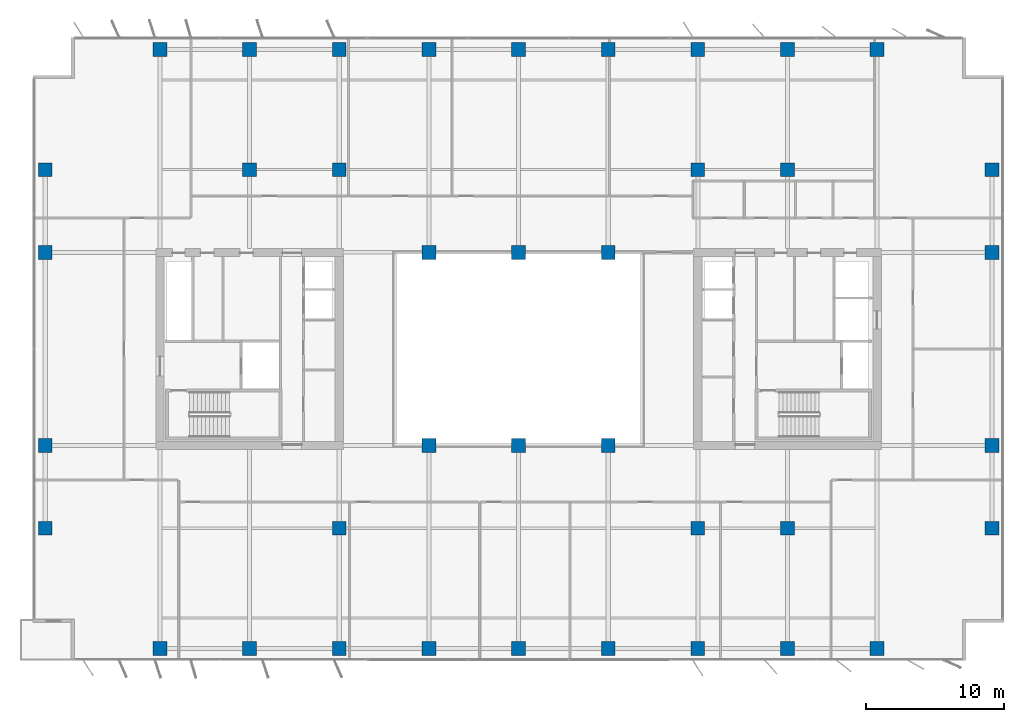
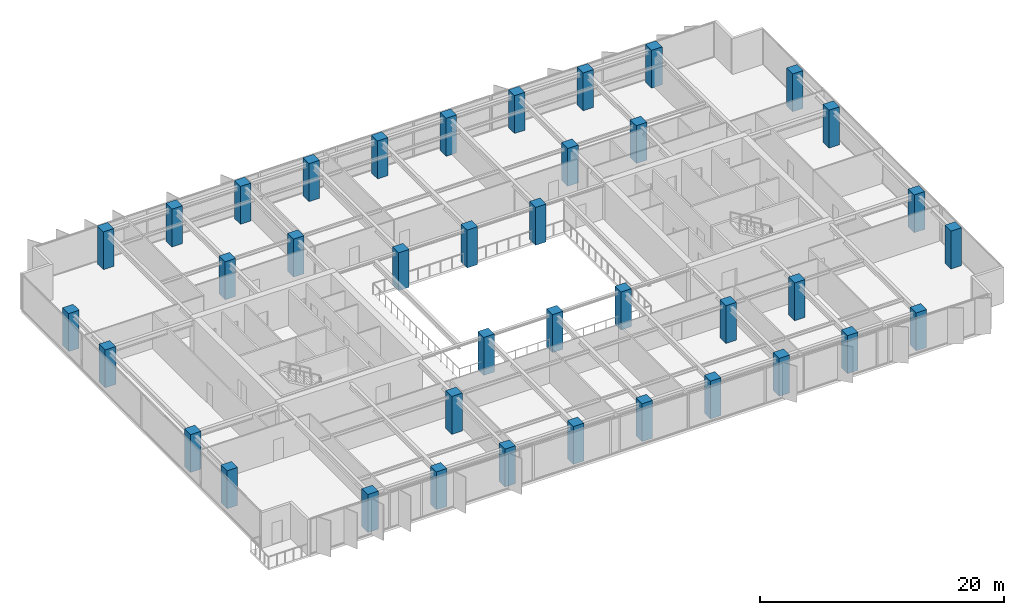
# One storey, part 1 of 22: 39 columns.
"""IFC4 building model written with IfcOpenShell, lengths in metres."""

from ifc_helpers import new_model, si_unit, direction, frame, origin, origin_2d, place, context, subcontext, project, spatial, rectangle, extrude, material, material_profile, profile_set, type_object, element, save


model = new_model("IFC4")

# Units and contexts
model_context = context("Model", 3, precision=1e-05, world=origin(), true_north=direction((0.0, 1.0)))
body_context = subcontext(model_context, "Body", "Model", "MODEL_VIEW")
ifc_project = project(units=[si_unit("LENGTHUNIT", "METRE"), si_unit("AREAUNIT", "SQUARE_METRE"), si_unit("VOLUMEUNIT", "CUBIC_METRE"), si_unit("PLANEANGLEUNIT", "RADIAN"), si_unit("MASSUNIT", "GRAM", prefix="KILO")], contexts=[model_context])

# Site, building, storey
site_placement = place(None, origin())
site = spatial("IfcSite", under=ifc_project, at=site_placement, CompositionType="ELEMENT")
building_placement = place(site_placement, origin())
building = spatial("IfcBuilding", under=site, at=building_placement, Name="Putna Gate Headquarters", CompositionType="ELEMENT")
storey_placement = place(building_placement, frame((0.0, 0.0, 163.199951171875)))
storey = spatial("IfcBuildingStorey", under=building, at=storey_placement, Name="L40", CompositionType="ELEMENT", Elevation=163.199951171875)

# Columns
ifc_material = material(Name="Concrete C50/60", Category="concrete")
ifc_material_profile_1 = material_profile(ifc_material, rectangle(XDim=1.0, YDim=1.0, at=origin_2d()), Name="Concrete C50/60")
ifc_profile_set_1 = profile_set([ifc_material_profile_1], Name="Concrete C50/60")
column_type_1 = type_object("IfcColumnType", Name="COL-RC1000-EXT", PredefinedType="COLUMN", material=ifc_profile_set_1)
for number, where, z_axis, x_axis, name in (
    (1, (13.0, 4.280029296875, 0.0), (0.0, 0.0, 1.0), (1.0, 0.0, 0.0), "L40 Column CP-S13"),
    (2, (13.0, 47.719970703125, 0.0), (0.0, 0.0, 1.0), (1.0, 0.0, 0.0), "L40 Column CP-N13"),
    (3, (19.5, 4.280029296875, 0.0), (0.0, 0.0, 1.0), (1.0, 0.0, 0.0), "L40 Column CP-S19"),
    (4, (19.5, 47.719970703125, 0.0), (0.0, 0.0, 1.0), (1.0, 0.0, 0.0), "L40 Column CP-N19"),
    (5, (26.0, 4.280029296875, 0.0), (0.0, 0.0, 1.0), (1.0, 0.0, 0.0), "L40 Column CP-S26"),
    (6, (26.0, 47.719970703125, 0.0), (0.0, 0.0, 1.0), (1.0, 0.0, 0.0), "L40 Column CP-N26"),
    (7, (32.5, 4.280029296875, 0.0), (0.0, 0.0, 1.0), (1.0, 0.0, 0.0), "L40 Column CP-S32"),
    (8, (32.5, 47.719970703125, 0.0), (0.0, 0.0, 1.0), (1.0, 0.0, 0.0), "L40 Column CP-N32"),
    (9, (39.0, 4.280029296875, 0.0), (0.0, 0.0, 1.0), (1.0, 0.0, 0.0), "L40 Column CP-S39"),
    (10, (39.0, 47.719970703125, 0.0), (0.0, 0.0, 1.0), (1.0, 0.0, 0.0), "L40 Column CP-N39"),
    (11, (45.5, 4.280029296875, 0.0), (0.0, 0.0, 1.0), (1.0, 0.0, 0.0), "L40 Column CP-S45"),
    (12, (45.5, 47.719970703125, 0.0), (0.0, 0.0, 1.0), (1.0, 0.0, 0.0), "L40 Column CP-N45"),
    (13, (52.0, 4.280029296875, 0.0), (0.0, 0.0, 1.0), (1.0, 0.0, 0.0), "L40 Column CP-S52"),
    (14, (52.0, 47.719970703125, 0.0), (0.0, 0.0, 1.0), (1.0, 0.0, 0.0), "L40 Column CP-N52"),
    (15, (58.5, 4.280029296875, 0.0), (0.0, 0.0, 1.0), (1.0, 0.0, 0.0), "L40 Column CP-S58"),
    (16, (58.5, 47.719970703125, 0.0), (0.0, 0.0, 1.0), (1.0, 0.0, 0.0), "L40 Column CP-N58"),
    (17, (65.0, 4.280029296875, 0.0), (0.0, 0.0, 1.0), (1.0, 0.0, 0.0), "L40 Column CP-S65"),
    (18, (65.0, 47.719970703125, 0.0), (0.0, 0.0, 1.0), (1.0, 0.0, 0.0), "L40 Column CP-N65"),
    (19, (4.679931640625, 13.0, 0.0), (0.0, 0.0, 1.0), (1.0, 0.0, 0.0), "L40 Column CP-W13"),
    (20, (73.320068359375, 13.0, 0.0), (0.0, 0.0, 1.0), (1.0, 0.0, 0.0), "L40 Column CP-E13"),
    (21, (4.679931640625, 19.0, 0.0), (0.0, 0.0, 1.0), (1.0, 0.0, 0.0), "L40 Column CP-W19"),
    (22, (73.320068359375, 19.0, 0.0), (0.0, 0.0, 1.0), (1.0, 0.0, 0.0), "L40 Column CP-E19"),
    (23, (4.679931640625, 33.0, 0.0), (0.0, 0.0, 1.0), (1.0, 0.0, 0.0), "L40 Column CP-W33"),
    (24, (73.320068359375, 33.0, 0.0), (0.0, 0.0, 1.0), (1.0, 0.0, 0.0), "L40 Column CP-E33"),
    (25, (4.679931640625, 39.0, 0.0), (0.0, 0.0, 1.0), (1.0, 0.0, 0.0), "L40 Column CP-W39"),
    (26, (73.320068359375, 39.0, 0.0), (0.0, 0.0, 1.0), (1.0, 0.0, 0.0), "L40 Column CP-E39"),
):
    element("IfcColumn", number, at=place(storey_placement, frame(where, z_axis=z_axis, x_axis=x_axis)), inside=storey, type_object=column_type_1, Name=name, PredefinedType="COLUMN", context=body_context, shape_type="SweptSolid", body=[
        extrude(rectangle(XDim=1.0, YDim=1.0, at=origin_2d()), origin(), (0.0, 0.0, 1.0), 3.800048828125),
    ])
ifc_material_profile_2 = material_profile(ifc_material, rectangle(XDim=1.0, YDim=1.0, at=origin_2d()), Name="Concrete C50/60")
ifc_profile_set_2 = profile_set([ifc_material_profile_2], Name="Concrete C50/60")
column_type_2 = type_object("IfcColumnType", Name="COL-RC1000-INT", PredefinedType="COLUMN", material=ifc_profile_set_2)
for number, where, z_axis, x_axis, name in (
    (27, (19.5, 39.0, 0.0), (0.0, 0.0, 1.0), (1.0, 0.0, 0.0), "L40 Column CSI-WN"),
    (28, (58.5, 13.0, 0.0), (0.0, 0.0, 1.0), (1.0, 0.0, 0.0), "L40 Column CSI-ES"),
    (29, (58.5, 39.0, 0.0), (0.0, 0.0, 1.0), (1.0, 0.0, 0.0), "L40 Column CSI-EN"),
    (30, (32.5, 19.0, 0.0), (0.0, 0.0, 1.0), (1.0, 0.0, 0.0), "L40 Column CAI-S32"),
    (31, (32.5, 33.0, 0.0), (0.0, 0.0, 1.0), (1.0, 0.0, 0.0), "L40 Column CAI-N32"),
    (32, (39.0, 19.0, 0.0), (0.0, 0.0, 1.0), (1.0, 0.0, 0.0), "L40 Column CAI-S39"),
    (33, (39.0, 33.0, 0.0), (0.0, 0.0, 1.0), (1.0, 0.0, 0.0), "L40 Column CAI-N39"),
    (34, (45.5, 19.0, 0.0), (0.0, 0.0, 1.0), (1.0, 0.0, 0.0), "L40 Column CAI-S45"),
    (35, (45.5, 33.0, 0.0), (0.0, 0.0, 1.0), (1.0, 0.0, 0.0), "L40 Column CAI-N45"),
    (36, (26.0, 13.0, 0.0), (0.0, 0.0, 1.0), (1.0, 0.0, 0.0), "L40 Column CAP-WS"),
    (37, (26.0, 39.0, 0.0), (0.0, 0.0, 1.0), (1.0, 0.0, 0.0), "L40 Column CAP-WN"),
    (38, (52.0, 13.0, 0.0), (0.0, 0.0, 1.0), (1.0, 0.0, 0.0), "L40 Column CAP-ES"),
    (39, (52.0, 39.0, 0.0), (0.0, 0.0, 1.0), (1.0, 0.0, 0.0), "L40 Column CAP-EN"),
):
    element("IfcColumn", number, at=place(storey_placement, frame(where, z_axis=z_axis, x_axis=x_axis)), inside=storey, type_object=column_type_2, Name=name, PredefinedType="COLUMN", context=body_context, shape_type="SweptSolid", body=[
        extrude(rectangle(XDim=1.0, YDim=1.0, at=origin_2d()), origin(), (0.0, 0.0, 1.0), 3.800048828125),
    ])

save(model, "model.ifc")
